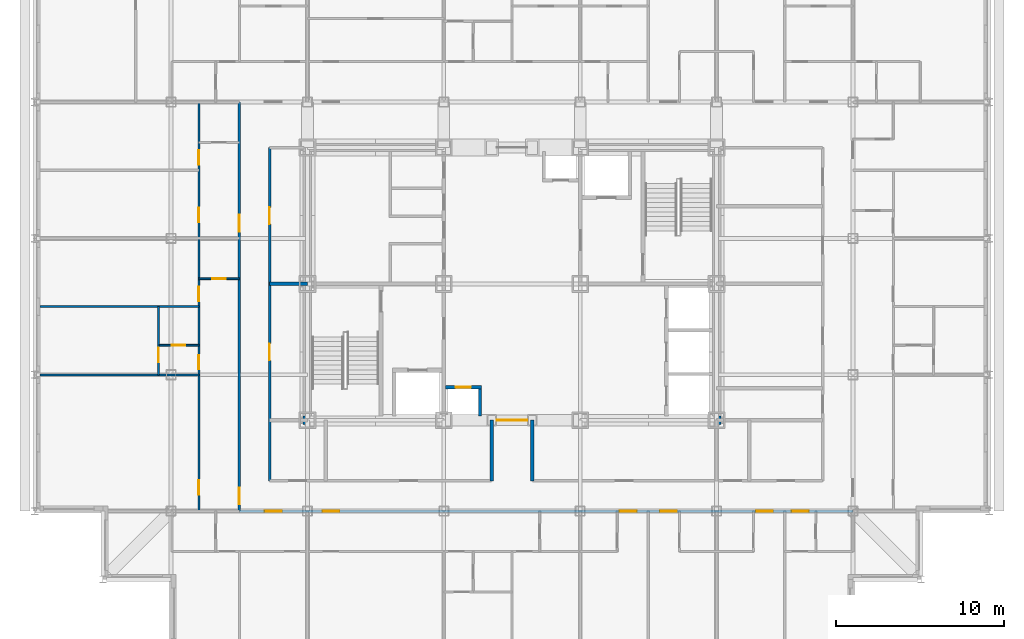
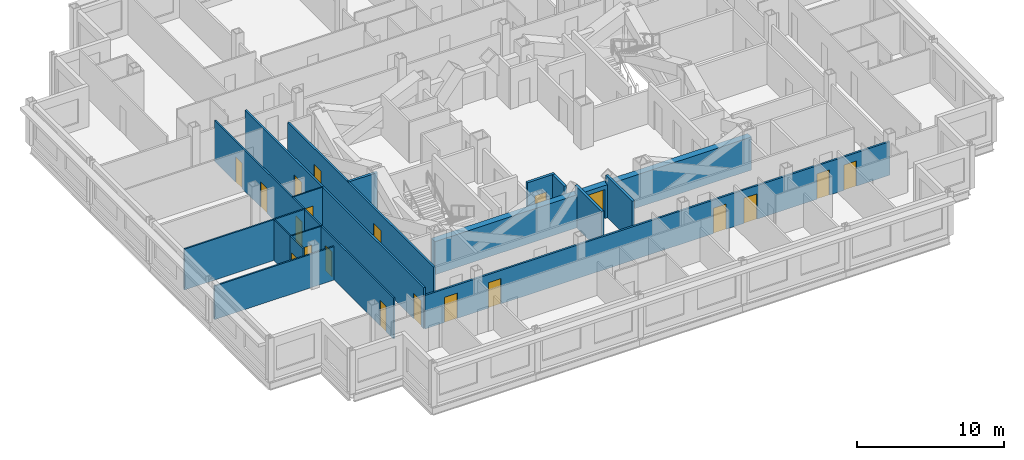
# One storey, part 5 of 12: 20 doors, 16 walls, 20 openings.
"""IFC4 building model written with IfcOpenShell, lengths in metres."""

from ifc_helpers import new_model, si_unit, direction, frame, frame_2d, origin, place, context, subcontext, project, spatial, rectangle, extrude, material, layer, layer_set, type_object, element, fill, save


model = new_model("IFC4")

# Units and contexts
model_context = context("Model", 3, precision=1e-05, world=origin(), true_north=direction((0.0, 1.0)))
body_context = subcontext(model_context, "Body", "Model", "MODEL_VIEW")
ifc_project = project(units=[si_unit("LENGTHUNIT", "METRE"), si_unit("AREAUNIT", "SQUARE_METRE"), si_unit("VOLUMEUNIT", "CUBIC_METRE"), si_unit("PLANEANGLEUNIT", "RADIAN"), si_unit("MASSUNIT", "GRAM", prefix="KILO")], contexts=[model_context])

# Site, building, storey
site_placement = place(None, origin())
site = spatial("IfcSite", under=ifc_project, at=site_placement, CompositionType="ELEMENT")
building_placement = place(site_placement, origin())
building = spatial("IfcBuilding", under=site, at=building_placement, Name="Kopane Lantern Tower", CompositionType="ELEMENT")
storey_placement = place(building_placement, frame((0.0, 0.0, 217.199951171875)))
storey = spatial("IfcBuildingStorey", under=building, at=storey_placement, Name="L56", CompositionType="ELEMENT", Elevation=217.199951171875)

# Wall, openings, doors
ifc_material_1 = material(Name="Gypsum board on steel studs", Category="steel")
ifc_layer_1 = layer(ifc_material_1, 0.1201171875)
ifc_layer_set_1 = layer_set([ifc_layer_1], Name="APARTMENT INTERNAL WALL 120")
wall_type_1 = type_object("IfcWallType", Name="APARTMENT INTERNAL WALL 120", PredefinedType="PARTITIONING", material=ifc_layer_set_1)
wall_1_placement = place(storey_placement, frame((9.75, 18.89990234375, 0.0), z_axis=(0.0, 0.0, 1.0), x_axis=(0.0, 1.0, 0.0)))
wall_1 = element("IfcWall", 1, at=wall_1_placement, inside=storey, type_object=wall_type_1, Name="Apartment Internal Wall 120 L56", PredefinedType="PARTITIONING", context=body_context, shape_type="SweptSolid", body=[
    extrude(rectangle(XDim=24.300048828125, YDim=0.1201171875, at=frame_2d((12.14990234375, 0.0))), origin(), (0.0, 0.0, 1.0), 3.39013671875),
])
opening_1_placement = place(wall_1_placement, frame((0.97509765625, 0.0, 0.0)))
opening_1 = element("IfcOpeningElement", 2, at=opening_1_placement, cuts=wall_1, Name="Opening L56-037", PredefinedType="OPENING", context=body_context, shape_type="SweptSolid", body=[
    extrude(rectangle(XDim=0.85009765625, YDim=2.10009765625, at=frame_2d((0.425048828125, 1.050048828125))), frame((0.0, 0.070068359375, 0.0), z_axis=(0.0, -1.0, 0.0), x_axis=(1.0, 0.0, 0.0)), (0.0, 0.0, 1.0), 0.14013671875),
])
opening_2_placement = place(wall_1_placement, frame((8.425048828125, 0.0, 0.0)))
opening_2 = element("IfcOpeningElement", 3, at=opening_2_placement, cuts=wall_1, Name="Opening L56-039", PredefinedType="OPENING", context=body_context, shape_type="SweptSolid", body=[
    extrude(rectangle(XDim=0.85009765625, YDim=2.10009765625, at=frame_2d((0.425048828125, 1.050048828125))), frame((0.0, 0.070068359375, 0.0), z_axis=(0.0, -1.0, 0.0), x_axis=(1.0, 0.0, 0.0)), (0.0, 0.0, 1.0), 0.14013671875),
])
opening_3_placement = place(wall_1_placement, frame((12.47509765625, 0.0, 0.0)))
opening_3 = element("IfcOpeningElement", 4, at=opening_3_placement, cuts=wall_1, Name="Opening L56-040", PredefinedType="OPENING", context=body_context, shape_type="SweptSolid", body=[
    extrude(rectangle(XDim=0.85009765625, YDim=2.10009765625, at=frame_2d((0.425048828125, 1.050048828125))), frame((0.0, 0.070068359375, 0.0), z_axis=(0.0, -1.0, 0.0), x_axis=(1.0, 0.0, 0.0)), (0.0, 0.0, 1.0), 0.14013671875),
])
opening_4_placement = place(wall_1_placement, frame((17.175048828125, 0.0, 0.0)))
opening_4 = element("IfcOpeningElement", 5, at=opening_4_placement, cuts=wall_1, Name="Opening L56-043", PredefinedType="OPENING", context=body_context, shape_type="SweptSolid", body=[
    extrude(rectangle(XDim=0.85009765625, YDim=2.10009765625, at=frame_2d((0.425048828125, 1.050048828125))), frame((0.0, 0.070068359375, 0.0), z_axis=(0.0, -1.0, 0.0), x_axis=(1.0, 0.0, 0.0)), (0.0, 0.0, 1.0), 0.14013671875),
])
opening_5_placement = place(wall_1_placement, frame((20.574951171875, 0.0, 0.0)))
opening_5 = element("IfcOpeningElement", 6, at=opening_5_placement, cuts=wall_1, Name="Opening L56-044", PredefinedType="OPENING", context=body_context, shape_type="SweptSolid", body=[
    extrude(rectangle(XDim=0.85009765625, YDim=2.10009765625, at=frame_2d((0.425048828125, 1.050048828125))), frame((0.0, 0.070068359375, 0.0), z_axis=(0.0, -1.0, 0.0), x_axis=(1.0, 0.0, 0.0)), (0.0, 0.0, 1.0), 0.14013671875),
])
ifc_material_2 = material(Name="Timber door set", Category="wood")
door_type_1 = type_object("IfcDoorType", Name="DOOR D4 850x2100", OperationType="SINGLE_SWING_LEFT", PredefinedType="DOOR", material=ifc_material_2)
door_1_placement = place(opening_1_placement, origin())
door_1 = element("IfcDoor", 7, at=door_1_placement, inside=storey, type_object=door_type_1, Name="Door L56-037", OperationType="SINGLE_SWING_RIGHT", OverallHeight=2.10009765625, OverallWidth=0.85009765625, PredefinedType="DOOR", context=body_context, shape_type="SweptSolid", body=[
    extrude(rectangle(XDim=0.85009765625, YDim=2.10009765625, at=frame_2d((0.425048828125, 1.050048828125))), frame((0.0, 0.02490234375, 0.0), z_axis=(0.0, -1.0, 0.0), x_axis=(1.0, 0.0, 0.0)), (0.0, 0.0, 1.0), 0.050048828125),
])
fill(opening_1, door_1)
door_2_placement = place(opening_2_placement, origin())
door_2 = element("IfcDoor", 8, at=door_2_placement, inside=storey, type_object=door_type_1, Name="Door L56-039", OperationType="SINGLE_SWING_LEFT", OverallHeight=2.10009765625, OverallWidth=0.85009765625, PredefinedType="DOOR", context=body_context, shape_type="SweptSolid", body=[
    extrude(rectangle(XDim=0.85009765625, YDim=2.10009765625, at=frame_2d((0.425048828125, 1.050048828125))), frame((0.0, 0.02490234375, 0.0), z_axis=(0.0, -1.0, 0.0), x_axis=(1.0, 0.0, 0.0)), (0.0, 0.0, 1.0), 0.050048828125),
])
fill(opening_2, door_2)
door_3_placement = place(opening_3_placement, origin())
door_3 = element("IfcDoor", 9, at=door_3_placement, inside=storey, type_object=door_type_1, Name="Door L56-040", OperationType="SINGLE_SWING_LEFT", OverallHeight=2.10009765625, OverallWidth=0.85009765625, PredefinedType="DOOR", context=body_context, shape_type="SweptSolid", body=[
    extrude(rectangle(XDim=0.85009765625, YDim=2.10009765625, at=frame_2d((0.425048828125, 1.050048828125))), frame((0.0, 0.02490234375, 0.0), z_axis=(0.0, -1.0, 0.0), x_axis=(1.0, 0.0, 0.0)), (0.0, 0.0, 1.0), 0.050048828125),
])
fill(opening_3, door_3)
door_4_placement = place(opening_4_placement, origin())
door_4 = element("IfcDoor", 10, at=door_4_placement, inside=storey, type_object=door_type_1, Name="Door L56-043", OperationType="SINGLE_SWING_RIGHT", OverallHeight=2.10009765625, OverallWidth=0.85009765625, PredefinedType="DOOR", context=body_context, shape_type="SweptSolid", body=[
    extrude(rectangle(XDim=0.85009765625, YDim=2.10009765625, at=frame_2d((0.425048828125, 1.050048828125))), frame((0.0, 0.02490234375, 0.0), z_axis=(0.0, -1.0, 0.0), x_axis=(1.0, 0.0, 0.0)), (0.0, 0.0, 1.0), 0.050048828125),
])
fill(opening_4, door_4)
door_5_placement = place(opening_5_placement, origin())
door_5 = element("IfcDoor", 11, at=door_5_placement, inside=storey, type_object=door_type_1, Name="Door L56-044", OperationType="SINGLE_SWING_LEFT", OverallHeight=2.10009765625, OverallWidth=0.85009765625, PredefinedType="DOOR", context=body_context, shape_type="SweptSolid", body=[
    extrude(rectangle(XDim=0.85009765625, YDim=2.10009765625, at=frame_2d((0.425048828125, 1.050048828125))), frame((0.0, 0.02490234375, 0.0), z_axis=(0.0, -1.0, 0.0), x_axis=(1.0, 0.0, 0.0)), (0.0, 0.0, 1.0), 0.050048828125),
])
fill(opening_5, door_5)

# Walls
wall_2_placement = place(storey_placement, frame((9.75, 27.0, 0.0), z_axis=(0.0, 0.0, 1.0), x_axis=(-1.0, 0.0, 0.0)))
element("IfcWall", 12, at=wall_2_placement, inside=storey, type_object=wall_type_1, Name="Apartment Internal Wall 120 L56", PredefinedType="PARTITIONING", context=body_context, shape_type="SweptSolid", body=[
    extrude(rectangle(XDim=9.449951171875, YDim=0.1201171875, at=frame_2d((4.72509765625, 0.0))), origin(), (0.0, 0.0, 1.0), 2.77783203125),
])
wall_3_placement = place(storey_placement, frame((9.75, 31.050048828125, 0.0), z_axis=(0.0, 0.0, 1.0), x_axis=(-1.0, 0.0, 0.0)))
element("IfcWall", 13, at=wall_3_placement, inside=storey, type_object=wall_type_1, Name="Apartment Internal Wall 120 L56", PredefinedType="PARTITIONING", context=body_context, shape_type="SweptSolid", body=[
    extrude(rectangle(XDim=9.449951171875, YDim=0.1201171875, at=frame_2d((4.72509765625, 0.0))), origin(), (0.0, 0.0, 1.0), 3.39013671875),
])

# Wall, opening, door
wall_4_placement = place(storey_placement, frame((7.35009765625, 27.0, 0.0), z_axis=(0.0, 0.0, 1.0), x_axis=(0.0, 1.0, 0.0)))
wall_4 = element("IfcWall", 14, at=wall_4_placement, inside=storey, type_object=wall_type_1, Name="Apartment Internal Wall 120 L56", PredefinedType="PARTITIONING", context=body_context, shape_type="SweptSolid", body=[
    extrude(rectangle(XDim=1.760009765625, YDim=0.1201171875, at=frame_2d((0.8798828125, 0.0))), origin(), (0.0, 0.0, 1.0), 3.39013671875),
])
opening_6_placement = place(wall_4_placement, frame((0.75, 0.0, 0.0)))
opening_6 = element("IfcOpeningElement", 15, at=opening_6_placement, cuts=wall_4, Name="Opening L56-071", PredefinedType="OPENING", context=body_context, shape_type="SweptSolid", body=[
    extrude(rectangle(XDim=0.85009765625, YDim=2.10009765625, at=frame_2d((0.425048828125, 1.050048828125))), frame((0.0, 0.070068359375, 0.0), z_axis=(0.0, -1.0, 0.0), x_axis=(1.0, 0.0, 0.0)), (0.0, 0.0, 1.0), 0.14013671875),
])
door_6_placement = place(opening_6_placement, origin())
door_6 = element("IfcDoor", 16, at=door_6_placement, inside=storey, type_object=door_type_1, Name="Door L56-071", OperationType="SINGLE_SWING_LEFT", OverallHeight=2.10009765625, OverallWidth=0.85009765625, PredefinedType="DOOR", context=body_context, shape_type="SweptSolid", body=[
    extrude(rectangle(XDim=0.85009765625, YDim=2.10009765625, at=frame_2d((0.425048828125, 1.050048828125))), frame((0.0, 0.02490234375, 0.0), z_axis=(0.0, -1.0, 0.0), x_axis=(1.0, 0.0, 0.0)), (0.0, 0.0, 1.0), 0.050048828125),
])
fill(opening_6, door_6)

ifc_material_3 = material(Name="Moisture-resistant board on steel studs", Category="steel")
ifc_layer_2 = layer(ifc_material_3, 0.10009765625)
ifc_layer_set_2 = layer_set([ifc_layer_2], Name="BATHROOM WALL 100")
wall_type_2 = type_object("IfcWallType", Name="BATHROOM WALL 100", PredefinedType="PARTITIONING", material=ifc_layer_set_2)
wall_5_placement = place(storey_placement, frame((12.14990234375, 32.699951171875, 0.0), z_axis=(0.0, 0.0, 1.0), x_axis=(-1.0, 0.0, 0.0)))
wall_5 = element("IfcWall", 17, at=wall_5_placement, inside=storey, type_object=wall_type_2, Name="Bathroom Wall 100 L56", PredefinedType="PARTITIONING", context=body_context, shape_type="SweptSolid", body=[
    extrude(rectangle(XDim=2.39990234375, YDim=0.10009765625, at=frame_2d((1.199951171875, 0.0))), origin(), (0.0, 0.0, 1.0), 3.39013671875),
])
opening_7_placement = place(wall_5_placement, frame((0.800048828125, 0.0, 0.0)))
opening_7 = element("IfcOpeningElement", 18, at=opening_7_placement, cuts=wall_5, Name="Opening L56-035", PredefinedType="OPENING", context=body_context, shape_type="SweptSolid", body=[
    extrude(rectangle(XDim=0.800048828125, YDim=2.10009765625, at=frame_2d((0.39990234375, 1.050048828125))), frame((0.0, 0.06005859375, 0.0), z_axis=(0.0, -1.0, 0.0), x_axis=(1.0, 0.0, 0.0)), (0.0, 0.0, 1.0), 0.1201171875),
])
ifc_material_4 = material(Name="Timber door set", Category="wood")
door_type_2 = type_object("IfcDoorType", Name="DOOR D2 800x2100", OperationType="SINGLE_SWING_LEFT", PredefinedType="DOOR", material=ifc_material_4)
door_7_placement = place(opening_7_placement, origin())
door_7 = element("IfcDoor", 19, at=door_7_placement, inside=storey, type_object=door_type_2, Name="Door L56-035", OperationType="SINGLE_SWING_RIGHT", OverallHeight=2.10009765625, OverallWidth=0.800048828125, PredefinedType="DOOR", context=body_context, shape_type="SweptSolid", body=[
    extrude(rectangle(XDim=0.800048828125, YDim=2.10009765625, at=frame_2d((0.39990234375, 1.050048828125))), frame((0.0, 0.02490234375, 0.0), z_axis=(0.0, -1.0, 0.0), x_axis=(1.0, 0.0, 0.0)), (0.0, 0.0, 1.0), 0.050048828125),
])
fill(opening_7, door_7)

wall_6_placement = place(storey_placement, frame((9.75, 28.75, 0.0), z_axis=(0.0, 0.0, 1.0), x_axis=(-1.0, 0.0, 0.0)))
wall_6 = element("IfcWall", 20, at=wall_6_placement, inside=storey, type_object=wall_type_2, Name="Bathroom Wall 100 L56", PredefinedType="PARTITIONING", context=body_context, shape_type="SweptSolid", body=[
    extrude(rectangle(XDim=2.39990234375, YDim=0.10009765625, at=frame_2d((1.199951171875, 0.0))), origin(), (0.0, 0.0, 1.0), 3.39013671875),
])
opening_8_placement = place(wall_6_placement, frame((0.800048828125, 0.0, 0.0)))
opening_8 = element("IfcOpeningElement", 21, at=opening_8_placement, cuts=wall_6, Name="Opening L56-038", PredefinedType="OPENING", context=body_context, shape_type="SweptSolid", body=[
    extrude(rectangle(XDim=0.800048828125, YDim=2.10009765625, at=frame_2d((0.39990234375, 1.050048828125))), frame((0.0, 0.06005859375, 0.0), z_axis=(0.0, -1.0, 0.0), x_axis=(1.0, 0.0, 0.0)), (0.0, 0.0, 1.0), 0.1201171875),
])
door_8_placement = place(opening_8_placement, origin())
door_8 = element("IfcDoor", 22, at=door_8_placement, inside=storey, type_object=door_type_2, Name="Door L56-038", OperationType="SINGLE_SWING_RIGHT", OverallHeight=2.10009765625, OverallWidth=0.800048828125, PredefinedType="DOOR", context=body_context, shape_type="SweptSolid", body=[
    extrude(rectangle(XDim=0.800048828125, YDim=2.10009765625, at=frame_2d((0.39990234375, 1.050048828125))), frame((0.0, 0.02490234375, 0.0), z_axis=(0.0, -1.0, 0.0), x_axis=(1.0, 0.0, 0.0)), (0.0, 0.0, 1.0), 0.050048828125),
])
fill(opening_8, door_8)

# Wall
wall_7_placement = place(storey_placement, frame((7.35009765625, 28.75, 0.0), z_axis=(0.0, 0.0, 1.0), x_axis=(0.0, 1.0, 0.0)))
element("IfcWall", 23, at=wall_7_placement, inside=storey, type_object=wall_type_2, Name="Bathroom Wall 100 L56", PredefinedType="PARTITIONING", context=body_context, shape_type="SweptSolid", body=[
    extrude(rectangle(XDim=2.300048828125, YDim=0.10009765625, at=frame_2d((1.14990234375, 0.0))), origin(), (0.0, 0.0, 1.0), 3.39013671875),
])

# Wall, opening, door
ifc_material_5 = material(Name="Gypsum shaft wall EI 120", Category="gypsum")
ifc_layer_3 = layer(ifc_material_5, 0.5)
ifc_layer_set_3 = layer_set([ifc_layer_3], Name="CORE PERIMETER WALL 500 EI 120")
wall_type_3 = type_object("IfcWallType", Name="CORE PERIMETER WALL 500 EI 120", PredefinedType="SOLIDWALL", material=ifc_layer_set_3)
wall_8_placement = place(storey_placement, frame((15.949951171875, 24.300048828125, 0.0), z_axis=(0.0, 0.0, 1.0), x_axis=(1.0, 0.0, 0.0)))
wall_8 = element("IfcWall", 24, at=wall_8_placement, inside=storey, type_object=wall_type_3, Name="Core shaft wall L56 PS", PredefinedType="SOLIDWALL", context=body_context, shape_type="SweptSolid", body=[
    extrude(rectangle(XDim=24.800048828125, YDim=0.5, at=frame_2d((12.39990234375, 0.0))), origin(), (0.0, 0.0, 1.0), 2.739990234375),
])
opening_9_placement = place(wall_8_placement, frame((11.5, 0.0, 0.0)))
opening_9 = element("IfcOpeningElement", 25, at=opening_9_placement, cuts=wall_8, Name="Opening 56.CE-S", PredefinedType="OPENING", context=body_context, shape_type="SweptSolid", body=[
    extrude(rectangle(XDim=1.800048828125, YDim=2.39990234375, at=frame_2d((0.89990234375, 1.199951171875))), frame((0.0, 0.260009765625, 0.0), z_axis=(0.0, -1.0, 0.0), x_axis=(1.0, 0.0, 0.0)), (0.0, 0.0, 1.0), 0.52001953125),
])
ifc_material_6 = material(Name="Steel door set", Category="steel")
door_type_3 = type_object("IfcDoorType", Name="CORE ENTRY DOOR 1800x2400 FD60S", OperationType="DOUBLE_DOOR_SINGLE_SWING", PredefinedType="DOOR", material=ifc_material_6)
door_9_placement = place(opening_9_placement, origin())
door_9 = element("IfcDoor", 26, at=door_9_placement, inside=storey, type_object=door_type_3, Name="Core entry door L56 south", OperationType="DOUBLE_DOOR_SINGLE_SWING", OverallHeight=2.39990234375, OverallWidth=1.800048828125, PredefinedType="DOOR", context=body_context, shape_type="SweptSolid", body=[
    extrude(rectangle(XDim=1.800048828125, YDim=2.39990234375, at=frame_2d((0.89990234375, 1.199951171875))), frame((0.0, 0.02490234375, 0.0), z_axis=(0.0, -1.0, 0.0), x_axis=(1.0, 0.0, 0.0)), (0.0, 0.0, 1.0), 0.050048828125),
])
fill(opening_9, door_9)

# Wall, openings, doors
ifc_material_7 = material(Name="Gypsum board on steel studs", Category="steel")
ifc_layer_4 = layer(ifc_material_7, 0.14990234375)
ifc_layer_set_4 = layer_set([ifc_layer_4], Name="CORRIDOR WALL 150 EI 60")
wall_type_4 = type_object("IfcWallType", Name="CORRIDOR WALL 150 EI 60", PredefinedType="PARTITIONING", material=ifc_layer_set_4)
wall_9_placement = place(storey_placement, frame((12.14990234375, 18.89990234375, 0.0), z_axis=(0.0, 0.0, 1.0), x_axis=(1.0, 0.0, 0.0)))
wall_9 = element("IfcWall", 27, at=wall_9_placement, inside=storey, type_object=wall_type_4, Name="Corridor Wall 150 Ei 60 L56", PredefinedType="PARTITIONING", context=body_context, shape_type="SweptSolid", body=[
    extrude(rectangle(XDim=36.4501953125, YDim=0.14990234375, at=frame_2d((18.22509765625, 0.0))), origin(), (0.0, 0.0, 1.0), 2.77783203125),
])
opening_10_placement = place(wall_9_placement, frame((4.949951171875, 0.0, 0.0)))
opening_10 = element("IfcOpeningElement", 28, at=opening_10_placement, cuts=wall_9, Name="Opening L56-013", PredefinedType="OPENING", context=body_context, shape_type="SweptSolid", body=[
    extrude(rectangle(XDim=1.0, YDim=2.10009765625, at=frame_2d((0.5, 1.050048828125))), frame((0.0, 0.0849609375, 0.0), z_axis=(0.0, -1.0, 0.0), x_axis=(1.0, 0.0, 0.0)), (0.0, 0.0, 1.0), 0.169921875),
])
opening_11_placement = place(wall_9_placement, frame((22.60009765625, 0.0, 0.0)))
opening_11 = element("IfcOpeningElement", 29, at=opening_11_placement, cuts=wall_9, Name="Opening L56-019", PredefinedType="OPENING", context=body_context, shape_type="SweptSolid", body=[
    extrude(rectangle(XDim=1.0, YDim=2.10009765625, at=frame_2d((0.5, 1.050048828125))), frame((0.0, 0.0849609375, 0.0), z_axis=(0.0, -1.0, 0.0), x_axis=(1.0, 0.0, 0.0)), (0.0, 0.0, 1.0), 0.169921875),
])
opening_12_placement = place(wall_9_placement, frame((25.0, 0.0, 0.0)))
opening_12 = element("IfcOpeningElement", 30, at=opening_12_placement, cuts=wall_9, Name="Opening L56-021", PredefinedType="OPENING", context=body_context, shape_type="SweptSolid", body=[
    extrude(rectangle(XDim=1.0, YDim=2.10009765625, at=frame_2d((0.5, 1.050048828125))), frame((0.0, 0.0849609375, 0.0), z_axis=(0.0, -1.0, 0.0), x_axis=(1.0, 0.0, 0.0)), (0.0, 0.0, 1.0), 0.169921875),
])
opening_13_placement = place(wall_9_placement, frame((30.699951171875, 0.0, 0.0)))
opening_13 = element("IfcOpeningElement", 31, at=opening_13_placement, cuts=wall_9, Name="Opening L56-023", PredefinedType="OPENING", context=body_context, shape_type="SweptSolid", body=[
    extrude(rectangle(XDim=1.0, YDim=2.10009765625, at=frame_2d((0.5, 1.050048828125))), frame((0.0, 0.0849609375, 0.0), z_axis=(0.0, -1.0, 0.0), x_axis=(1.0, 0.0, 0.0)), (0.0, 0.0, 1.0), 0.169921875),
])
opening_14_placement = place(wall_9_placement, frame((1.52490234375, 0.0, 0.0)))
opening_14 = element("IfcOpeningElement", 32, at=opening_14_placement, cuts=wall_9, Name="Opening L56-054", PredefinedType="OPENING", context=body_context, shape_type="SweptSolid", body=[
    extrude(rectangle(XDim=1.0, YDim=2.10009765625, at=frame_2d((0.5, 1.050048828125))), frame((0.0, 0.0849609375, 0.0), z_axis=(0.0, -1.0, 0.0), x_axis=(1.0, 0.0, 0.0)), (0.0, 0.0, 1.0), 0.169921875),
])
opening_15_placement = place(wall_9_placement, frame((32.824951171875, 0.0, 0.0)))
opening_15 = element("IfcOpeningElement", 33, at=opening_15_placement, cuts=wall_9, Name="Opening L56-059", PredefinedType="OPENING", context=body_context, shape_type="SweptSolid", body=[
    extrude(rectangle(XDim=1.0, YDim=2.10009765625, at=frame_2d((0.5, 1.050048828125))), frame((0.0, 0.0849609375, 0.0), z_axis=(0.0, -1.0, 0.0), x_axis=(1.0, 0.0, 0.0)), (0.0, 0.0, 1.0), 0.169921875),
])
ifc_material_8 = material(Name="Steel door set", Category="steel")
door_type_4 = type_object("IfcDoorType", Name="DOOR D3 1000x2100 FD30S", OperationType="SINGLE_SWING_LEFT", PredefinedType="DOOR", material=ifc_material_8)
door_10_placement = place(opening_10_placement, origin())
door_10 = element("IfcDoor", 34, at=door_10_placement, inside=storey, type_object=door_type_4, Name="Door L56-013", OperationType="SINGLE_SWING_RIGHT", OverallHeight=2.10009765625, OverallWidth=1.0, PredefinedType="DOOR", context=body_context, shape_type="SweptSolid", body=[
    extrude(rectangle(XDim=1.0, YDim=2.10009765625, at=frame_2d((0.5, 1.050048828125))), frame((0.0, 0.02490234375, 0.0), z_axis=(0.0, -1.0, 0.0), x_axis=(1.0, 0.0, 0.0)), (0.0, 0.0, 1.0), 0.050048828125),
])
fill(opening_10, door_10)
door_11_placement = place(opening_11_placement, origin())
door_11 = element("IfcDoor", 35, at=door_11_placement, inside=storey, type_object=door_type_4, Name="Door L56-019", OperationType="SINGLE_SWING_RIGHT", OverallHeight=2.10009765625, OverallWidth=1.0, PredefinedType="DOOR", context=body_context, shape_type="SweptSolid", body=[
    extrude(rectangle(XDim=1.0, YDim=2.10009765625, at=frame_2d((0.5, 1.050048828125))), frame((0.0, 0.02490234375, 0.0), z_axis=(0.0, -1.0, 0.0), x_axis=(1.0, 0.0, 0.0)), (0.0, 0.0, 1.0), 0.050048828125),
])
fill(opening_11, door_11)
door_12_placement = place(opening_12_placement, origin())
door_12 = element("IfcDoor", 36, at=door_12_placement, inside=storey, type_object=door_type_4, Name="Door L56-021", OperationType="SINGLE_SWING_LEFT", OverallHeight=2.10009765625, OverallWidth=1.0, PredefinedType="DOOR", context=body_context, shape_type="SweptSolid", body=[
    extrude(rectangle(XDim=1.0, YDim=2.10009765625, at=frame_2d((0.5, 1.050048828125))), frame((0.0, 0.02490234375, 0.0), z_axis=(0.0, -1.0, 0.0), x_axis=(1.0, 0.0, 0.0)), (0.0, 0.0, 1.0), 0.050048828125),
])
fill(opening_12, door_12)
door_13_placement = place(opening_13_placement, origin())
door_13 = element("IfcDoor", 37, at=door_13_placement, inside=storey, type_object=door_type_4, Name="Door L56-023", OperationType="SINGLE_SWING_RIGHT", OverallHeight=2.10009765625, OverallWidth=1.0, PredefinedType="DOOR", context=body_context, shape_type="SweptSolid", body=[
    extrude(rectangle(XDim=1.0, YDim=2.10009765625, at=frame_2d((0.5, 1.050048828125))), frame((0.0, 0.02490234375, 0.0), z_axis=(0.0, -1.0, 0.0), x_axis=(1.0, 0.0, 0.0)), (0.0, 0.0, 1.0), 0.050048828125),
])
fill(opening_13, door_13)
door_14_placement = place(opening_14_placement, origin())
door_14 = element("IfcDoor", 38, at=door_14_placement, inside=storey, type_object=door_type_4, Name="Door L56-054", OperationType="SINGLE_SWING_LEFT", OverallHeight=2.10009765625, OverallWidth=1.0, PredefinedType="DOOR", context=body_context, shape_type="SweptSolid", body=[
    extrude(rectangle(XDim=1.0, YDim=2.10009765625, at=frame_2d((0.5, 1.050048828125))), frame((0.0, 0.02490234375, 0.0), z_axis=(0.0, -1.0, 0.0), x_axis=(1.0, 0.0, 0.0)), (0.0, 0.0, 1.0), 0.050048828125),
])
fill(opening_14, door_14)
door_15_placement = place(opening_15_placement, origin())
door_15 = element("IfcDoor", 39, at=door_15_placement, inside=storey, type_object=door_type_4, Name="Door L56-059", OperationType="SINGLE_SWING_LEFT", OverallHeight=2.10009765625, OverallWidth=1.0, PredefinedType="DOOR", context=body_context, shape_type="SweptSolid", body=[
    extrude(rectangle(XDim=1.0, YDim=2.10009765625, at=frame_2d((0.5, 1.050048828125))), frame((0.0, 0.02490234375, 0.0), z_axis=(0.0, -1.0, 0.0), x_axis=(1.0, 0.0, 0.0)), (0.0, 0.0, 1.0), 0.050048828125),
])
fill(opening_15, door_15)

wall_10_placement = place(storey_placement, frame((12.14990234375, 18.89990234375, 0.0), z_axis=(0.0, 0.0, 1.0), x_axis=(0.0, 1.0, 0.0)))
wall_10 = element("IfcWall", 40, at=wall_10_placement, inside=storey, type_object=wall_type_4, Name="Corridor Wall 150 Ei 60 L56", PredefinedType="PARTITIONING", context=body_context, shape_type="SweptSolid", body=[
    extrude(rectangle(XDim=24.300048828125, YDim=0.14990234375, at=frame_2d((12.14990234375, 0.0))), origin(), (0.0, 0.0, 1.0), 3.39013671875),
])
opening_16_placement = place(wall_10_placement, frame((0.39990234375, 0.0, 0.0)))
opening_16 = element("IfcOpeningElement", 41, at=opening_16_placement, cuts=wall_10, Name="Opening L56-036", PredefinedType="OPENING", context=body_context, shape_type="SweptSolid", body=[
    extrude(rectangle(XDim=1.0, YDim=2.10009765625, at=frame_2d((0.5, 1.050048828125))), frame((0.0, 0.0849609375, 0.0), z_axis=(0.0, -1.0, 0.0), x_axis=(1.0, 0.0, 0.0)), (0.0, 0.0, 1.0), 0.169921875),
])
opening_17_placement = place(wall_10_placement, frame((16.60009765625, 0.0, 0.0)))
opening_17 = element("IfcOpeningElement", 42, at=opening_17_placement, cuts=wall_10, Name="Opening L56-042", PredefinedType="OPENING", context=body_context, shape_type="SweptSolid", body=[
    extrude(rectangle(XDim=1.0, YDim=2.10009765625, at=frame_2d((0.5, 1.050048828125))), frame((0.0, 0.0849609375, 0.0), z_axis=(0.0, -1.0, 0.0), x_axis=(1.0, 0.0, 0.0)), (0.0, 0.0, 1.0), 0.169921875),
])
door_16_placement = place(opening_16_placement, origin())
door_16 = element("IfcDoor", 43, at=door_16_placement, inside=storey, type_object=door_type_4, Name="Door L56-036", OperationType="SINGLE_SWING_LEFT", OverallHeight=2.10009765625, OverallWidth=1.0, PredefinedType="DOOR", context=body_context, shape_type="SweptSolid", body=[
    extrude(rectangle(XDim=1.0, YDim=2.10009765625, at=frame_2d((0.5, 1.050048828125))), frame((0.0, 0.02490234375, 0.0), z_axis=(0.0, -1.0, 0.0), x_axis=(1.0, 0.0, 0.0)), (0.0, 0.0, 1.0), 0.050048828125),
])
fill(opening_16, door_16)
door_17_placement = place(opening_17_placement, origin())
door_17 = element("IfcDoor", 44, at=door_17_placement, inside=storey, type_object=door_type_4, Name="Door L56-042", OperationType="SINGLE_SWING_LEFT", OverallHeight=2.10009765625, OverallWidth=1.0, PredefinedType="DOOR", context=body_context, shape_type="SweptSolid", body=[
    extrude(rectangle(XDim=1.0, YDim=2.10009765625, at=frame_2d((0.5, 1.050048828125))), frame((0.0, 0.02490234375, 0.0), z_axis=(0.0, -1.0, 0.0), x_axis=(1.0, 0.0, 0.0)), (0.0, 0.0, 1.0), 0.050048828125),
])
fill(opening_17, door_17)

wall_11_placement = place(storey_placement, frame((13.949951171875, 40.5, 0.0), z_axis=(0.0, 0.0, 1.0), x_axis=(0.0, -1.0, 0.0)))
wall_11 = element("IfcWall", 45, at=wall_11_placement, inside=storey, type_object=wall_type_4, Name="Corridor Wall 150 Ei 60 L56", PredefinedType="PARTITIONING", context=body_context, shape_type="SweptSolid", body=[
    extrude(rectangle(XDim=19.800048828125, YDim=0.14990234375, at=frame_2d((9.89990234375, 0.0))), origin(), (0.0, 0.0, 1.0), 3.39013671875),
])
opening_18_placement = place(wall_11_placement, frame((11.64990234375, 0.0, 0.0)))
opening_18 = element("IfcOpeningElement", 46, at=opening_18_placement, cuts=wall_11, Name="Opening L56-001", PredefinedType="OPENING", context=body_context, shape_type="SweptSolid", body=[
    extrude(rectangle(XDim=1.0, YDim=2.10009765625, at=frame_2d((0.5, 1.050048828125))), frame((0.0, 0.0849609375, 0.0), z_axis=(0.0, -1.0, 0.0), x_axis=(1.0, 0.0, 0.0)), (0.0, 0.0, 1.0), 0.169921875),
])
opening_19_placement = place(wall_11_placement, frame((3.550048828125, 0.0, 0.0)))
opening_19 = element("IfcOpeningElement", 47, at=opening_19_placement, cuts=wall_11, Name="Opening L56-002", PredefinedType="OPENING", context=body_context, shape_type="SweptSolid", body=[
    extrude(rectangle(XDim=1.0, YDim=2.10009765625, at=frame_2d((0.5, 1.050048828125))), frame((0.0, 0.0849609375, 0.0), z_axis=(0.0, -1.0, 0.0), x_axis=(1.0, 0.0, 0.0)), (0.0, 0.0, 1.0), 0.169921875),
])
ifc_material_9 = material(Name="Steel door set", Category="steel")
door_type_5 = type_object("IfcDoorType", Name="DOOR D5 1000x2100 FD60", OperationType="SINGLE_SWING_LEFT", PredefinedType="DOOR", material=ifc_material_9)
door_18_placement = place(opening_18_placement, origin())
door_18 = element("IfcDoor", 48, at=door_18_placement, inside=storey, type_object=door_type_5, Name="Door L56-001", OperationType="SINGLE_SWING_RIGHT", OverallHeight=2.10009765625, OverallWidth=1.0, PredefinedType="DOOR", context=body_context, shape_type="SweptSolid", body=[
    extrude(rectangle(XDim=1.0, YDim=2.10009765625, at=frame_2d((0.5, 1.050048828125))), frame((0.0, 0.02490234375, 0.0), z_axis=(0.0, -1.0, 0.0), x_axis=(1.0, 0.0, 0.0)), (0.0, 0.0, 1.0), 0.050048828125),
])
fill(opening_18, door_18)
door_19_placement = place(opening_19_placement, origin())
door_19 = element("IfcDoor", 49, at=door_19_placement, inside=storey, type_object=door_type_5, Name="Door L56-002", OperationType="SINGLE_SWING_LEFT", OverallHeight=2.10009765625, OverallWidth=1.0, PredefinedType="DOOR", context=body_context, shape_type="SweptSolid", body=[
    extrude(rectangle(XDim=1.0, YDim=2.10009765625, at=frame_2d((0.5, 1.050048828125))), frame((0.0, 0.02490234375, 0.0), z_axis=(0.0, -1.0, 0.0), x_axis=(1.0, 0.0, 0.0)), (0.0, 0.0, 1.0), 0.050048828125),
])
fill(opening_19, door_19)

# Walls
ifc_material_10 = material(Name="Concrete masonry", Category="masonry")
ifc_layer_5 = layer(ifc_material_10, 0.199951171875)
ifc_layer_set_5 = layer_set([ifc_layer_5], Name="PLANT ROOM WALL 200 EI 120")
wall_type_5 = type_object("IfcWallType", Name="PLANT ROOM WALL 200 EI 120", PredefinedType="SOLIDWALL", material=ifc_layer_set_5)
wall_12_placement = place(storey_placement, frame((13.949951171875, 32.39990234375, 0.0), z_axis=(0.0, 0.0, 1.0), x_axis=(1.0, 0.0, 0.0)))
element("IfcWall", 50, at=wall_12_placement, inside=storey, type_object=wall_type_5, Name="Plant Room Wall 200 Ei 120 L56", PredefinedType="SOLIDWALL", context=body_context, shape_type="SweptSolid", body=[
    extrude(rectangle(XDim=2.25, YDim=0.199951171875, at=frame_2d((1.125, 0.0))), origin(), (0.0, 0.0, 1.0), 3.39013671875),
])
for number, where, z_axis, x_axis, name in (
    (51, (27.14990234375, 20.699951171875, 0.0), (0.0, 0.0, 1.0), (0.0, 1.0, 0.0), "Plant Room Wall 200 Ei 120 L56"),
    (52, (29.550048828125, 20.699951171875, 0.0), (0.0, 0.0, 1.0), (0.0, 1.0, 0.0), "Plant Room Wall 200 Ei 120 L56"),
):
    element("IfcWall", number, at=place(storey_placement, frame(where, z_axis=z_axis, x_axis=x_axis)), inside=storey, type_object=wall_type_5, Name=name, PredefinedType="SOLIDWALL", context=body_context, shape_type="SweptSolid", body=[
        extrude(rectangle(XDim=3.60009765625, YDim=0.199951171875, at=frame_2d((1.800048828125, 0.0))), origin(), (0.0, 0.0, 1.0), 3.39013671875),
    ])
ifc_material_11 = material(Name="Gypsum shaft wall EI 120", Category="gypsum")
ifc_layer_6 = layer(ifc_material_11, 0.199951171875)
ifc_layer_set_6 = layer_set([ifc_layer_6], Name="SHAFT WALL 200 EI 120")
wall_type_6 = type_object("IfcWallType", Name="SHAFT WALL 200 EI 120", PredefinedType="SOLIDWALL", material=ifc_layer_set_6)
wall_13_placement = place(storey_placement, frame((26.449951171875, 24.550048828125, 0.0), z_axis=(0.0, 0.0, 1.0), x_axis=(0.0, 1.0, 0.0)))
element("IfcWall", 53, at=wall_13_placement, inside=storey, type_object=wall_type_6, Name="Core shaft wall L56 XRS1", PredefinedType="SOLIDWALL", context=body_context, shape_type="SweptSolid", body=[
    extrude(rectangle(XDim=1.599853515625, YDim=0.199951171875, at=frame_2d((0.7998046875, 0.0))), origin(), (0.0, 0.0, 1.0), 3.39013671875),
])

# Wall, opening, door
wall_14_placement = place(storey_placement, frame((24.39990234375, 26.25, 0.0), z_axis=(0.0, 0.0, 1.0), x_axis=(1.0, 0.0, 0.0)))
wall_14 = element("IfcWall", 54, at=wall_14_placement, inside=storey, type_object=wall_type_6, Name="Core shaft wall L56 YRS1", PredefinedType="SOLIDWALL", context=body_context, shape_type="SweptSolid", body=[
    extrude(rectangle(XDim=2.150146484375, YDim=0.199951171875, at=frame_2d((1.0751953125, 0.0))), origin(), (0.0, 0.0, 1.0), 3.39013671875),
])
opening_20_placement = place(wall_14_placement, frame((0.60009765625, 0.0, 0.0)))
opening_20 = element("IfcOpeningElement", 55, at=opening_20_placement, cuts=wall_14, Name="Opening 56.RS1", PredefinedType="OPENING", context=body_context, shape_type="SweptSolid", body=[
    extrude(rectangle(XDim=0.89990234375, YDim=2.10009765625, at=frame_2d((0.449951171875, 1.050048828125))), frame((0.0, 0.10986328125, 0.0), z_axis=(0.0, -1.0, 0.0), x_axis=(1.0, 0.0, 0.0)), (0.0, 0.0, 1.0), 0.219970703125),
])
ifc_material_12 = material(Name="Steel door set", Category="steel")
door_type_6 = type_object("IfcDoorType", Name="RISER ACCESS DOOR 900x2100 FD60", OperationType="SINGLE_SWING_LEFT", PredefinedType="DOOR", material=ifc_material_12)
door_20_placement = place(opening_20_placement, origin())
door_20 = element("IfcDoor", 56, at=door_20_placement, inside=storey, type_object=door_type_6, Name="Riser access door RS1 L56", OperationType="SINGLE_SWING_LEFT", OverallHeight=2.10009765625, OverallWidth=0.89990234375, PredefinedType="DOOR", context=body_context, shape_type="SweptSolid", body=[
    extrude(rectangle(XDim=0.89990234375, YDim=2.10009765625, at=frame_2d((0.449951171875, 1.050048828125))), frame((0.0, 0.02490234375, 0.0), z_axis=(0.0, -1.0, 0.0), x_axis=(1.0, 0.0, 0.0)), (0.0, 0.0, 1.0), 0.050048828125),
])
fill(opening_20, door_20)

save(model, "model.ifc")
